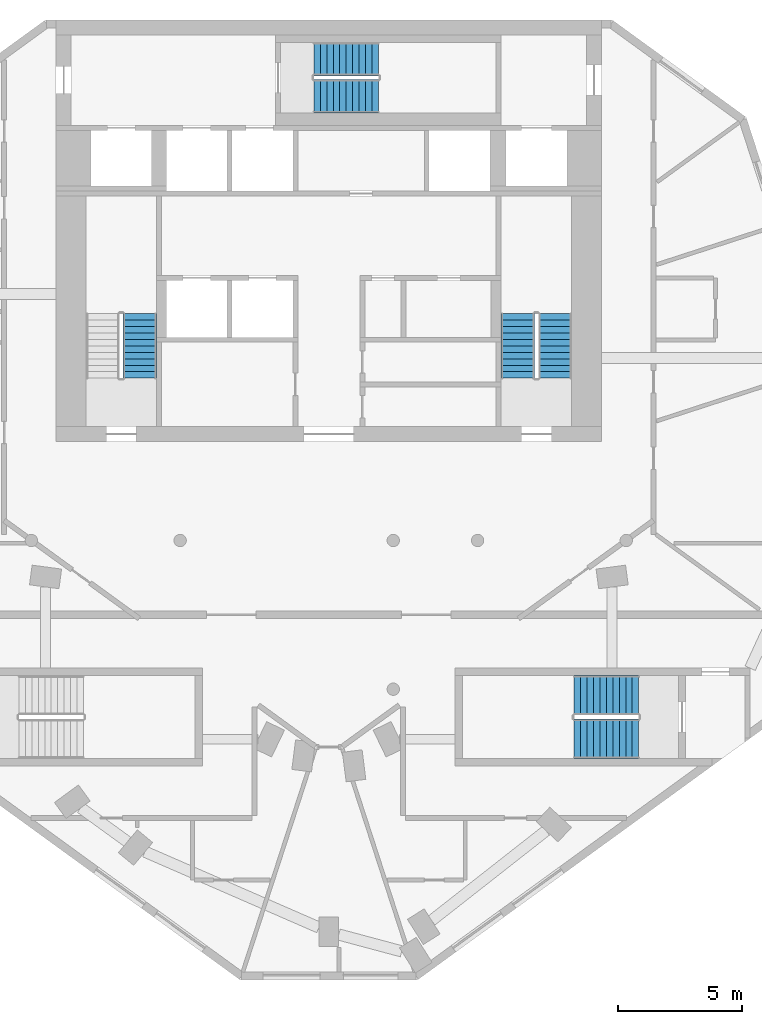
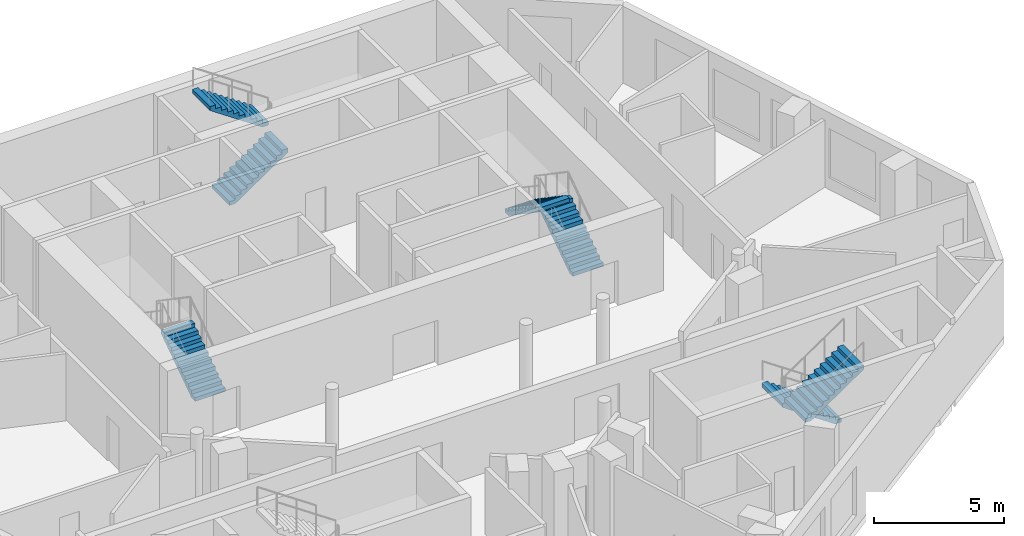
# One storey, part 6 of 8: 7 stair flights, 4 elements without a shape of their own.
"""IFC4 building model written with IfcOpenShell, lengths in metres."""

from ifc_helpers import new_model, si_unit, direction, frame, origin, place, context, subcontext, project, spatial, polyline, outline, extrude, material, layer, layer_set, type_object, element, aggregate, save


model = new_model("IFC4")

# Units and contexts
model_context = context("Model", 3, precision=1e-05, world=origin(), true_north=direction((0.0, 1.0)))
body_context = subcontext(model_context, "Body", "Model", "MODEL_VIEW")
ifc_project = project(units=[si_unit("LENGTHUNIT", "METRE"), si_unit("AREAUNIT", "SQUARE_METRE"), si_unit("VOLUMEUNIT", "CUBIC_METRE"), si_unit("PLANEANGLEUNIT", "RADIAN"), si_unit("MASSUNIT", "GRAM", prefix="KILO")], contexts=[model_context])

# Site, building, storey
site_placement = place(None, origin())
site = spatial("IfcSite", under=ifc_project, at=site_placement, CompositionType="ELEMENT")
building_placement = place(site_placement, origin())
building = spatial("IfcBuilding", under=site, at=building_placement, Name="White Candle Pilgrim Tower", CompositionType="ELEMENT")
storey_placement = place(building_placement, frame((0.0, 0.0, 310.0)))
storey = spatial("IfcBuildingStorey", under=building, at=storey_placement, Name="L73", CompositionType="ELEMENT", Elevation=310.0)

# Stair, stair flight
ifc_material = material(Name="Concrete C40/50", Category="concrete")
stair_type_1 = type_object("IfcStairType", Name="Exit stair 1 flight width 1350 mm", PredefinedType="HALF_TURN_STAIR", material=ifc_material)
stair_1_placement = place(storey_placement, origin())
stair_1 = element("IfcStair", 1, at=stair_1_placement, inside=storey, type_object=stair_type_1, Name="L73 stair 1", PredefinedType="NOTDEFINED")
ifc_layer = layer(ifc_material, 0.14990234375)
ifc_layer_set = layer_set([ifc_layer], Name="Stair flight Concrete C40/50")
stair_flight_type = type_object("IfcStairFlightType", Name="Stair flight Concrete C40/50", PredefinedType="STRAIGHT", material=ifc_layer_set)
stair_flight_1_placement = place(storey_placement, frame((62.375, 73.550048828125, 0.0), z_axis=(0.0, 0.0, 1.0), x_axis=(0.0, 1.0, 0.0)))
stair_flight_1 = element("IfcStairFlight", 2, at=stair_flight_1_placement, type_object=stair_flight_type, Name="ST1 flight 1", NumberOfRisers=11, NumberOfTreads=10, PredefinedType="NOTDEFINED", RiserHeight=0.177272727, TreadLength=0.26, context=body_context, shape_type="SweptSolid", body=[
    extrude(outline(polyline([(0.0, 0.0), (0.0, 0.17724609375), (0.260009765625, 0.17724609375), (0.260009765625, 0.3544921875), (0.52001953125, 0.3544921875), (0.52001953125, 0.53173828125), (0.780029296875, 0.53173828125), (0.780029296875, 0.708984375), (1.0400390625, 0.708984375), (1.0400390625, 0.886474609375), (1.300048828125, 0.886474609375), (1.300048828125, 1.063720703125), (1.56005859375, 1.063720703125), (1.56005859375, 1.240966796875), (1.820068359375, 1.240966796875), (1.820068359375, 1.418212890625), (2.080078125, 1.418212890625), (2.080078125, 1.595458984375), (2.340087890625, 1.595458984375), (2.340087890625, 1.772705078125), (2.60009765625, 1.772705078125), (2.60009765625, 1.949951171875), (2.60009765625, 1.59130859375), (0.26611328125, 0.0), (0.0, 0.0)])), frame((0.0, 0.675048828125, 0.0), z_axis=(0.0, -1.0, 0.0), x_axis=(1.0, 0.0, 0.0)), (0.0, 0.0, 1.0), 1.35009765625),
])
aggregate(stair_1, [stair_flight_1])

# Stair, stair flights
stair_type_2 = type_object("IfcStairType", Name="Exit stair 2 flight width 1350 mm", PredefinedType="HALF_TURN_STAIR", material=ifc_material)
stair_2_placement = place(storey_placement, origin())
stair_2 = element("IfcStair", 3, at=stair_2_placement, inside=storey, type_object=stair_type_2, Name="L73 stair 2", PredefinedType="NOTDEFINED")
stair_flight_2_placement = place(storey_placement, frame((79.125, 73.550048828125, 0.0), z_axis=(0.0, 0.0, 1.0), x_axis=(0.0, 1.0, 0.0)))
stair_flight_2 = element("IfcStairFlight", 4, at=stair_flight_2_placement, type_object=stair_flight_type, Name="ST2 flight 1", NumberOfRisers=11, NumberOfTreads=10, PredefinedType="NOTDEFINED", RiserHeight=0.177272727, TreadLength=0.26, context=body_context, shape_type="SweptSolid", body=[
    extrude(outline(polyline([(0.0, 0.0), (0.0, 0.17724609375), (0.260009765625, 0.17724609375), (0.260009765625, 0.3544921875), (0.52001953125, 0.3544921875), (0.52001953125, 0.53173828125), (0.780029296875, 0.53173828125), (0.780029296875, 0.708984375), (1.0400390625, 0.708984375), (1.0400390625, 0.886474609375), (1.300048828125, 0.886474609375), (1.300048828125, 1.063720703125), (1.56005859375, 1.063720703125), (1.56005859375, 1.240966796875), (1.820068359375, 1.240966796875), (1.820068359375, 1.418212890625), (2.080078125, 1.418212890625), (2.080078125, 1.595458984375), (2.340087890625, 1.595458984375), (2.340087890625, 1.772705078125), (2.60009765625, 1.772705078125), (2.60009765625, 1.949951171875), (2.60009765625, 1.59130859375), (0.26611328125, 0.0), (0.0, 0.0)])), frame((0.0, 0.675048828125, 0.0), z_axis=(0.0, -1.0, 0.0), x_axis=(1.0, 0.0, 0.0)), (0.0, 0.0, 1.0), 1.35009765625),
])
stair_flight_3_placement = place(storey_placement, frame((77.625, 76.14990234375, 1.949951171875), z_axis=(0.0, 0.0, 1.0), x_axis=(0.0, -1.0, 0.0)))
stair_flight_3 = element("IfcStairFlight", 5, at=stair_flight_3_placement, type_object=stair_flight_type, Name="ST2 flight 2", NumberOfRisers=11, NumberOfTreads=10, PredefinedType="NOTDEFINED", RiserHeight=0.177272727, TreadLength=0.26, context=body_context, shape_type="SweptSolid", body=[
    extrude(outline(polyline([(0.0, 0.0), (0.0, 0.17724609375), (0.260009765625, 0.17724609375), (0.260009765625, 0.3544921875), (0.52001953125, 0.3544921875), (0.52001953125, 0.53173828125), (0.780029296875, 0.53173828125), (0.780029296875, 0.708984375), (1.0400390625, 0.708984375), (1.0400390625, 0.886474609375), (1.300048828125, 0.886474609375), (1.300048828125, 1.063720703125), (1.56005859375, 1.063720703125), (1.56005859375, 1.240966796875), (1.820068359375, 1.240966796875), (1.820068359375, 1.418212890625), (2.080078125, 1.418212890625), (2.080078125, 1.595458984375), (2.340087890625, 1.595458984375), (2.340087890625, 1.772705078125), (2.60009765625, 1.772705078125), (2.60009765625, 1.949951171875), (2.60009765625, 1.59130859375), (0.26611328125, 0.0), (0.0, 0.0)])), frame((0.0, 0.675048828125, 0.0), z_axis=(0.0, -1.0, 0.0), x_axis=(1.0, 0.0, 0.0)), (0.0, 0.0, 1.0), 1.35009765625),
])
aggregate(stair_2, [stair_flight_2, stair_flight_3])

stair_type_3 = type_object("IfcStairType", Name="Exit stair 3 flight width 1350 mm", PredefinedType="HALF_TURN_STAIR", material=ifc_material)
stair_3_placement = place(storey_placement, origin())
stair_3 = element("IfcStair", 6, at=stair_3_placement, inside=storey, type_object=stair_type_3, Name="L73 stair 3", PredefinedType="NOTDEFINED")
stair_flight_4_placement = place(storey_placement, frame((69.39990234375, 84.925048828125, 0.0), z_axis=(0.0, 0.0, 1.0), x_axis=(1.0, 0.0, 0.0)))
stair_flight_4 = element("IfcStairFlight", 7, at=stair_flight_4_placement, type_object=stair_flight_type, Name="ST3 flight 1", NumberOfRisers=11, NumberOfTreads=10, PredefinedType="NOTDEFINED", RiserHeight=0.177272727, TreadLength=0.26, context=body_context, shape_type="SweptSolid", body=[
    extrude(outline(polyline([(0.0, 0.0), (0.0, 0.17724609375), (0.260009765625, 0.17724609375), (0.260009765625, 0.3544921875), (0.52001953125, 0.3544921875), (0.52001953125, 0.53173828125), (0.780029296875, 0.53173828125), (0.780029296875, 0.708984375), (1.0400390625, 0.708984375), (1.0400390625, 0.886474609375), (1.300048828125, 0.886474609375), (1.300048828125, 1.063720703125), (1.56005859375, 1.063720703125), (1.56005859375, 1.240966796875), (1.820068359375, 1.240966796875), (1.820068359375, 1.418212890625), (2.080078125, 1.418212890625), (2.080078125, 1.595458984375), (2.340087890625, 1.595458984375), (2.340087890625, 1.772705078125), (2.60009765625, 1.772705078125), (2.60009765625, 1.949951171875), (2.60009765625, 1.59130859375), (0.26611328125, 0.0), (0.0, 0.0)])), frame((0.0, 0.675048828125, 0.0), z_axis=(0.0, -1.0, 0.0), x_axis=(1.0, 0.0, 0.0)), (0.0, 0.0, 1.0), 1.35009765625),
])
stair_flight_5_placement = place(storey_placement, frame((72.0, 86.425048828125, 1.949951171875), z_axis=(0.0, 0.0, 1.0), x_axis=(-1.0, 0.0, 0.0)))
stair_flight_5 = element("IfcStairFlight", 8, at=stair_flight_5_placement, type_object=stair_flight_type, Name="ST3 flight 2", NumberOfRisers=11, NumberOfTreads=10, PredefinedType="NOTDEFINED", RiserHeight=0.177272727, TreadLength=0.26, context=body_context, shape_type="SweptSolid", body=[
    extrude(outline(polyline([(0.0, 0.0), (0.0, 0.17724609375), (0.260009765625, 0.17724609375), (0.260009765625, 0.3544921875), (0.52001953125, 0.3544921875), (0.52001953125, 0.53173828125), (0.780029296875, 0.53173828125), (0.780029296875, 0.708984375), (1.0400390625, 0.708984375), (1.0400390625, 0.886474609375), (1.300048828125, 0.886474609375), (1.300048828125, 1.063720703125), (1.56005859375, 1.063720703125), (1.56005859375, 1.240966796875), (1.820068359375, 1.240966796875), (1.820068359375, 1.418212890625), (2.080078125, 1.418212890625), (2.080078125, 1.595458984375), (2.340087890625, 1.595458984375), (2.340087890625, 1.772705078125), (2.60009765625, 1.772705078125), (2.60009765625, 1.949951171875), (2.60009765625, 1.59130859375), (0.26611328125, 0.0), (0.0, 0.0)])), frame((0.0, 0.675048828125, 0.0), z_axis=(0.0, -1.0, 0.0), x_axis=(1.0, 0.0, 0.0)), (0.0, 0.0, 1.0), 1.35009765625),
])
aggregate(stair_3, [stair_flight_4, stair_flight_5])

stair_type_4 = type_object("IfcStairType", Name="Exit stair 4 flight width 1600 mm", PredefinedType="HALF_TURN_STAIR", material=ifc_material)
stair_4_placement = place(storey_placement, origin())
stair_4 = element("IfcStair", 9, at=stair_4_placement, inside=storey, type_object=stair_type_4, Name="L73 stair 4", PredefinedType="NOTDEFINED")
stair_flight_6_placement = place(storey_placement, frame((82.5, 60.75, 0.0), z_axis=(0.0, 0.0, 1.0), x_axis=(-1.0, 0.0, 0.0)))
stair_flight_6 = element("IfcStairFlight", 10, at=stair_flight_6_placement, type_object=stair_flight_type, Name="ST4 flight 1", NumberOfRisers=11, NumberOfTreads=10, PredefinedType="NOTDEFINED", RiserHeight=0.177272727, TreadLength=0.26, context=body_context, shape_type="SweptSolid", body=[
    extrude(outline(polyline([(0.0, 0.0), (0.0, 0.17724609375), (0.260009765625, 0.17724609375), (0.260009765625, 0.3544921875), (0.52001953125, 0.3544921875), (0.52001953125, 0.53173828125), (0.780029296875, 0.53173828125), (0.780029296875, 0.708984375), (1.0400390625, 0.708984375), (1.0400390625, 0.886474609375), (1.300048828125, 0.886474609375), (1.300048828125, 1.063720703125), (1.56005859375, 1.063720703125), (1.56005859375, 1.240966796875), (1.820068359375, 1.240966796875), (1.820068359375, 1.418212890625), (2.080078125, 1.418212890625), (2.080078125, 1.595458984375), (2.340087890625, 1.595458984375), (2.340087890625, 1.772705078125), (2.60009765625, 1.772705078125), (2.60009765625, 1.949951171875), (2.60009765625, 1.59130859375), (0.26611328125, 0.0), (0.0, 0.0)])), frame((0.0, 0.800048828125, 0.0), z_axis=(0.0, -1.0, 0.0), x_axis=(1.0, 0.0, 0.0)), (0.0, 0.0, 1.0), 1.60009765625),
])
stair_flight_7_placement = place(storey_placement, frame((79.89990234375, 59.0, 1.949951171875), z_axis=(0.0, 0.0, 1.0), x_axis=(1.0, 0.0, 0.0)))
stair_flight_7 = element("IfcStairFlight", 11, at=stair_flight_7_placement, type_object=stair_flight_type, Name="ST4 flight 2", NumberOfRisers=11, NumberOfTreads=10, PredefinedType="NOTDEFINED", RiserHeight=0.177272727, TreadLength=0.26, context=body_context, shape_type="SweptSolid", body=[
    extrude(outline(polyline([(0.0, 0.0), (0.0, 0.17724609375), (0.260009765625, 0.17724609375), (0.260009765625, 0.3544921875), (0.52001953125, 0.3544921875), (0.52001953125, 0.53173828125), (0.780029296875, 0.53173828125), (0.780029296875, 0.708984375), (1.0400390625, 0.708984375), (1.0400390625, 0.886474609375), (1.300048828125, 0.886474609375), (1.300048828125, 1.063720703125), (1.56005859375, 1.063720703125), (1.56005859375, 1.240966796875), (1.820068359375, 1.240966796875), (1.820068359375, 1.418212890625), (2.080078125, 1.418212890625), (2.080078125, 1.595458984375), (2.340087890625, 1.595458984375), (2.340087890625, 1.772705078125), (2.60009765625, 1.772705078125), (2.60009765625, 1.949951171875), (2.60009765625, 1.59130859375), (0.26611328125, 0.0), (0.0, 0.0)])), frame((0.0, 0.800048828125, 0.0), z_axis=(0.0, -1.0, 0.0), x_axis=(1.0, 0.0, 0.0)), (0.0, 0.0, 1.0), 1.60009765625),
])
aggregate(stair_4, [stair_flight_6, stair_flight_7])

save(model, "model.ifc")
